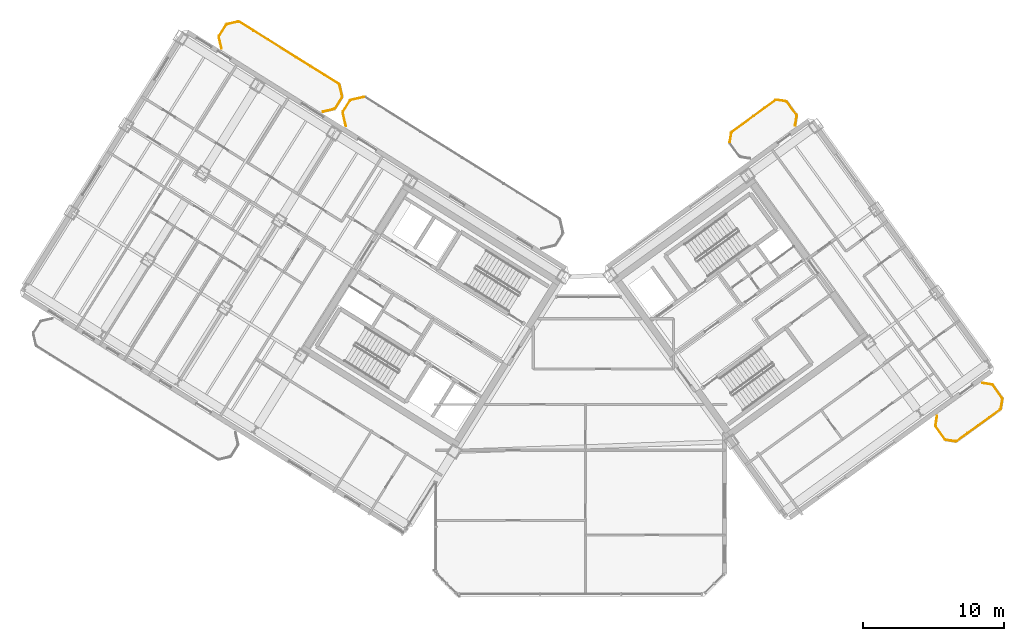
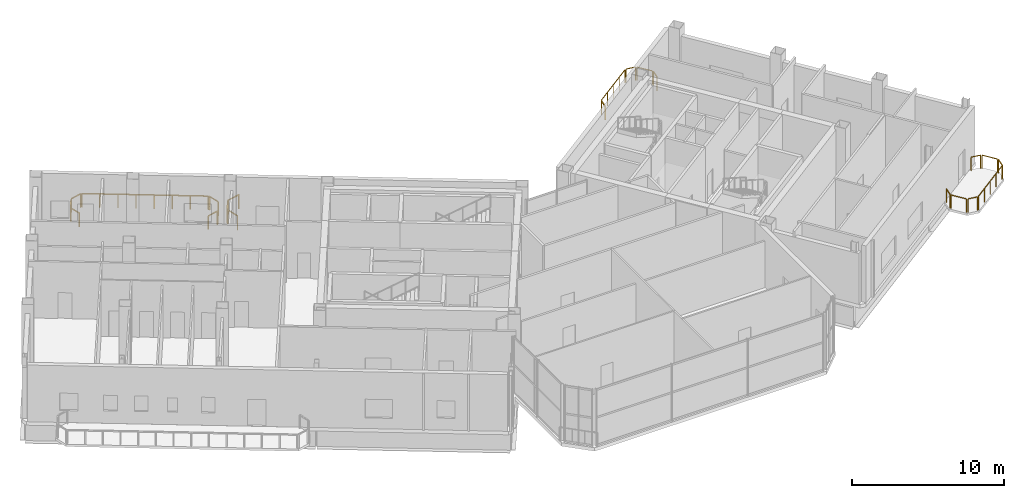
# One storey, part 26 of 26: 22 railings.
"""IFC4 building model written with IfcOpenShell, lengths in metres."""

from ifc_helpers import new_model, si_unit, direction, frame, origin, origin_2d, place, context, subcontext, project, spatial, rectangle, extrude, source, transform, mapped, material, type_object, element, save


model = new_model("IFC4")

# Units and contexts
model_context = context("Model", 3, precision=1e-05, world=origin(), true_north=direction((0.0, 1.0)))
body_context = subcontext(model_context, "Body", "Model", "MODEL_VIEW")
ifc_project = project(units=[si_unit("LENGTHUNIT", "METRE"), si_unit("AREAUNIT", "SQUARE_METRE"), si_unit("VOLUMEUNIT", "CUBIC_METRE"), si_unit("PLANEANGLEUNIT", "RADIAN"), si_unit("MASSUNIT", "GRAM", prefix="KILO")], contexts=[model_context])

# Site, building, storey
site_placement = place(None, origin())
site = spatial("IfcSite", under=ifc_project, at=site_placement, CompositionType="ELEMENT")
building_placement = place(site_placement, origin())
building = spatial("IfcBuilding", under=site, at=building_placement, Name="Tlacorven Tower", CompositionType="ELEMENT")
storey_placement = place(building_placement, frame((0.0, 0.0, 233.699951171875)))
storey = spatial("IfcBuildingStorey", under=building, at=storey_placement, Name="L59", CompositionType="ELEMENT", Elevation=233.699951171875)

# Railings
ifc_material = material(Name="Aluminium and painted steel balustrade", Category="steel")
railing_type_1 = type_object("IfcRailingType", Name="RL-BAL-1100", PredefinedType="BALUSTRADE", material=ifc_material)
shared_shape_1 = source(origin(), body_context, "Body", "SweptSolid", [
    extrude(rectangle(XDim=0.048095703125, YDim=0.048095703125, at=origin_2d()), frame((0.0, 0.0, 1.076171875), z_axis=(0.225058334816, -0.974345290916, 0.0), x_axis=(0.974345290916, 0.225058334816, 0.0)), (0.0, 0.0, 1.0), 0.80712890625),
    extrude(rectangle(XDim=0.0419921875, YDim=0.0419921875, at=origin_2d()), origin(), (0.0, 0.0, 1.0), 1.052001953125),
    extrude(rectangle(XDim=0.0419921875, YDim=0.0419921875, at=origin_2d()), frame((0.181640625, -0.786376953125, 0.0)), (0.0, 0.0, 1.0), 1.052001953125),
])
railing_1_placement = place(storey_placement, frame((24.912841796875, 38.069580078125, 0.0)))
element("IfcRailing", 1, at=railing_1_placement, inside=storey, type_object=railing_type_1, Name="BAL-L59-W-IN Guard Railing 1", PredefinedType="BALUSTRADE", context=body_context, shape_type="MappedRepresentation", body=[
    mapped(shared_shape_1, transform((0.0, 0.0, 0.0), scale=1.0)),
])
shared_shape_2 = source(origin(), body_context, "Body", "SweptSolid", [
    extrude(rectangle(XDim=0.048095703125, YDim=0.048095703125, at=origin_2d()), frame((0.0, 0.0, 1.076171875), z_axis=(-0.52987865805, -0.848073468364, 0.0), x_axis=(0.848073468364, -0.52987865805, 0.0)), (0.0, 0.0, 1.0), 0.912353515625),
    extrude(rectangle(XDim=0.0419921875, YDim=0.0419921875, at=origin_2d()), origin(), (0.0, 0.0, 1.0), 1.052001953125),
    extrude(rectangle(XDim=0.0419921875, YDim=0.0419921875, at=origin_2d()), frame((-0.4833984375, -0.773681640625, 0.0)), (0.0, 0.0, 1.0), 1.052001953125),
])
railing_2_placement = place(storey_placement, frame((25.079345703125, 37.192138671875, 0.0)))
element("IfcRailing", 2, at=railing_2_placement, inside=storey, type_object=railing_type_1, Name="BAL-L59-W-IN Guard Railing 2", PredefinedType="BALUSTRADE", context=body_context, shape_type="MappedRepresentation", body=[
    mapped(shared_shape_2, transform((0.0, 0.0, 0.0), scale=1.0)),
])
shared_shape_3 = source(origin(), body_context, "Body", "SweptSolid", [
    extrude(rectangle(XDim=0.048095703125, YDim=0.048095703125, at=origin_2d()), frame((0.0, 0.0, 1.076171875), z_axis=(-0.225058334816, 0.974345290916, 0.0), x_axis=(-0.974345290916, -0.225058334816, 0.0)), (0.0, 0.0, 1.0), 0.80712890625),
    extrude(rectangle(XDim=0.0419921875, YDim=0.0419921875, at=origin_2d()), origin(), (0.0, 0.0, 1.0), 1.052001953125),
    extrude(rectangle(XDim=0.0419921875, YDim=0.0419921875, at=origin_2d()), frame((-0.181640625, 0.786376953125, 0.0)), (0.0, 0.0, 1.0), 1.052001953125),
])
railing_3_placement = place(storey_placement, frame((16.5361328125, 40.68115234375, 0.0)))
element("IfcRailing", 3, at=railing_3_placement, inside=storey, type_object=railing_type_1, Name="BAL-L59-W-IN Guard Railing 4", PredefinedType="BALUSTRADE", context=body_context, shape_type="MappedRepresentation", body=[
    mapped(shared_shape_3, transform((0.0, 0.0, 0.0), scale=1.0)),
])
shared_shape_4 = source(origin(), body_context, "Body", "SweptSolid", [
    extrude(rectangle(XDim=0.048095703125, YDim=0.048095703125, at=origin_2d()), frame((0.0, 0.0, 1.076171875), z_axis=(0.52987865805, 0.848073468364, 0.0), x_axis=(-0.848073468364, 0.52987865805, 0.0)), (0.0, 0.0, 1.0), 0.912353515625),
    extrude(rectangle(XDim=0.0419921875, YDim=0.0419921875, at=origin_2d()), origin(), (0.0, 0.0, 1.0), 1.052001953125),
    extrude(rectangle(XDim=0.0419921875, YDim=0.0419921875, at=origin_2d()), frame((0.4833984375, 0.773681640625, 0.0)), (0.0, 0.0, 1.0), 1.052001953125),
])
railing_4_placement = place(storey_placement, frame((16.369873046875, 41.55859375, 0.0)))
element("IfcRailing", 4, at=railing_4_placement, inside=storey, type_object=railing_type_1, Name="BAL-L59-W-IN Guard Railing 5", PredefinedType="BALUSTRADE", context=body_context, shape_type="MappedRepresentation", body=[
    mapped(shared_shape_4, transform((0.0, 0.0, 0.0), scale=1.0)),
])
shared_shape_5 = source(origin(), body_context, "Body", "SweptSolid", [
    extrude(rectangle(XDim=0.048095703125, YDim=0.048095703125, at=origin_2d()), frame((0.0, 0.0, 1.076171875), z_axis=(0.974411586182, 0.224771129628, 0.0), x_axis=(-0.224771129628, 0.974411586182, 0.0)), (0.0, 0.0, 1.0), 0.80712890625),
    extrude(rectangle(XDim=0.0419921875, YDim=0.0419921875, at=origin_2d()), origin(), (0.0, 0.0, 1.0), 1.052001953125),
    extrude(rectangle(XDim=0.0419921875, YDim=0.0419921875, at=origin_2d()), frame((0.786376953125, 0.181396484375, 0.0)), (0.0, 0.0, 1.0), 1.052001953125),
])
railing_5_placement = place(storey_placement, frame((16.928466796875, 42.385986328125, 0.0)))
element("IfcRailing", 5, at=railing_5_placement, inside=storey, type_object=railing_type_1, Name="BAL-L59-W-IN Guard Railing 6", PredefinedType="BALUSTRADE", context=body_context, shape_type="MappedRepresentation", body=[
    mapped(shared_shape_5, transform((0.0, 0.0, 0.0), scale=1.0)),
])
shared_shape_6 = source(origin(), body_context, "Body", "SweptSolid", [
    extrude(rectangle(XDim=0.048095703125, YDim=0.048095703125, at=origin_2d()), frame((0.0, 0.0, 1.076171875), z_axis=(-0.987661653326, 0.156602868908, 0.0), x_axis=(-0.156602868908, -0.987661653326, 0.0)), (0.0, 0.0, 1.0), 0.665771484375),
    extrude(rectangle(XDim=0.0419921875, YDim=0.0419921875, at=origin_2d()), origin(), (0.0, 0.0, 1.0), 1.052001953125),
    extrude(rectangle(XDim=0.0419921875, YDim=0.0419921875, at=origin_2d()), frame((-0.657470703125, 0.104248046875, 0.0)), (0.0, 0.0, 1.0), 1.052001953125),
])
railing_6_placement = place(storey_placement, frame((68.59521484375, 12.7919921875, 0.0)))
element("IfcRailing", 6, at=railing_6_placement, inside=storey, type_object=railing_type_1, Name="BAL-L59-E-OUT Guard Railing 1", PredefinedType="BALUSTRADE", context=body_context, shape_type="MappedRepresentation", body=[
    mapped(shared_shape_6, transform((0.0, 0.0, 0.0), scale=1.0)),
])
shared_shape_7 = source(origin(), body_context, "Body", "SweptSolid", [
    extrude(rectangle(XDim=0.048095703125, YDim=0.048095703125, at=origin_2d()), frame((0.0, 0.0, 1.076171875), z_axis=(-0.58788449985, 0.808944877501, 0.0), x_axis=(-0.808944877501, -0.58788449985, 0.0)), (0.0, 0.0, 1.0), 1.112060546875),
    extrude(rectangle(XDim=0.0419921875, YDim=0.0419921875, at=origin_2d()), origin(), (0.0, 0.0, 1.0), 1.052001953125),
    extrude(rectangle(XDim=0.0419921875, YDim=0.0419921875, at=origin_2d()), frame((-0.65380859375, 0.899658203125, 0.0)), (0.0, 0.0, 1.0), 1.052001953125),
])
railing_7_placement = place(storey_placement, frame((67.85888671875, 12.944580078125, 0.0)))
element("IfcRailing", 7, at=railing_7_placement, inside=storey, type_object=railing_type_1, Name="BAL-L59-E-OUT Guard Railing 2", PredefinedType="BALUSTRADE", context=body_context, shape_type="MappedRepresentation", body=[
    mapped(shared_shape_7, transform((0.0, 0.0, 0.0), scale=1.0)),
])
shared_shape_8 = source(origin(), body_context, "Body", "SweptSolid", [
    extrude(rectangle(XDim=0.048095703125, YDim=0.048095703125, at=origin_2d()), frame((0.0, 0.0, 1.076171875), z_axis=(0.156602868908, 0.987661653326, 0.0), x_axis=(-0.987661653326, 0.156602868908, 0.0)), (0.0, 0.0, 1.0), 0.665771484375),
    extrude(rectangle(XDim=0.0419921875, YDim=0.0419921875, at=origin_2d()), origin(), (0.0, 0.0, 1.0), 1.052001953125),
    extrude(rectangle(XDim=0.0419921875, YDim=0.0419921875, at=origin_2d()), frame((0.104248046875, 0.657470703125, 0.0)), (0.0, 0.0, 1.0), 1.052001953125),
])
railing_8_placement = place(storey_placement, frame((67.18359375, 13.93408203125, 0.0)))
element("IfcRailing", 8, at=railing_8_placement, inside=storey, type_object=railing_type_1, Name="BAL-L59-E-OUT Guard Railing 3", PredefinedType="BALUSTRADE", context=body_context, shape_type="MappedRepresentation", body=[
    mapped(shared_shape_8, transform((0.0, 0.0, 0.0), scale=1.0)),
])
shared_shape_9 = source(origin(), body_context, "Body", "SweptSolid", [
    extrude(rectangle(XDim=0.048095703125, YDim=0.048095703125, at=origin_2d()), frame((0.0, 0.0, 1.076171875), z_axis=(0.987718317463, -0.156245081039, 0.0), x_axis=(0.156245081039, 0.987718317463, 0.0)), (0.0, 0.0, 1.0), 0.66552734375),
    extrude(rectangle(XDim=0.0419921875, YDim=0.0419921875, at=origin_2d()), origin(), (0.0, 0.0, 1.0), 1.052001953125),
    extrude(rectangle(XDim=0.0419921875, YDim=0.0419921875, at=origin_2d()), frame((0.657470703125, -0.10400390625, 0.0)), (0.0, 0.0, 1.0), 1.052001953125),
])
railing_9_placement = place(storey_placement, frame((70.513916015625, 16.935546875, 0.0)))
element("IfcRailing", 9, at=railing_9_placement, inside=storey, type_object=railing_type_1, Name="BAL-L59-E-OUT Guard Railing 4", PredefinedType="BALUSTRADE", context=body_context, shape_type="MappedRepresentation", body=[
    mapped(shared_shape_9, transform((0.0, 0.0, 0.0), scale=1.0)),
])
shared_shape_10 = source(origin(), body_context, "Body", "SweptSolid", [
    extrude(rectangle(XDim=0.048095703125, YDim=0.048095703125, at=origin_2d()), frame((0.0, 0.0, 1.076171875), z_axis=(0.58788449985, -0.808944877501, 0.0), x_axis=(0.808944877501, 0.58788449985, 0.0)), (0.0, 0.0, 1.0), 1.112060546875),
    extrude(rectangle(XDim=0.0419921875, YDim=0.0419921875, at=origin_2d()), origin(), (0.0, 0.0, 1.0), 1.052001953125),
    extrude(rectangle(XDim=0.0419921875, YDim=0.0419921875, at=origin_2d()), frame((0.65380859375, -0.899658203125, 0.0)), (0.0, 0.0, 1.0), 1.052001953125),
])
for number, where, name in (
    (10, (71.250244140625, 16.783203125, 0.0), "BAL-L59-E-OUT Guard Railing 5"),
    (11, (56.658447265625, 36.866943359375, 0.0), "BAL-L59-E-IN Guard Railing 6"),
):
    element("IfcRailing", number, at=place(storey_placement, frame(where)), inside=storey, type_object=railing_type_1, Name=name, PredefinedType="BALUSTRADE", context=body_context, shape_type="MappedRepresentation", body=[
        mapped(shared_shape_10, transform((0.0, 0.0, 0.0), scale=1.0)),
    ])
shared_shape_11 = source(origin(), body_context, "Body", "SweptSolid", [
    extrude(rectangle(XDim=0.048095703125, YDim=0.048095703125, at=origin_2d()), frame((0.0, 0.0, 1.076171875), z_axis=(-0.156188498702, -0.987727266442, 0.0), x_axis=(0.987727266442, -0.156188498702, 0.0)), (0.0, 0.0, 1.0), 0.665771484375),
    extrude(rectangle(XDim=0.0419921875, YDim=0.0419921875, at=origin_2d()), origin(), (0.0, 0.0, 1.0), 1.052001953125),
    extrude(rectangle(XDim=0.0419921875, YDim=0.0419921875, at=origin_2d()), frame((-0.10400390625, -0.65771484375, 0.0)), (0.0, 0.0, 1.0), 1.052001953125),
])
railing_10_placement = place(storey_placement, frame((71.925537109375, 15.793701171875, 0.0)))
element("IfcRailing", 12, at=railing_10_placement, inside=storey, type_object=railing_type_1, Name="BAL-L59-E-OUT Guard Railing 6", PredefinedType="BALUSTRADE", context=body_context, shape_type="MappedRepresentation", body=[
    mapped(shared_shape_11, transform((0.0, 0.0, 0.0), scale=1.0)),
])
shared_shape_12 = source(origin(), body_context, "Body", "SweptSolid", [
    extrude(rectangle(XDim=0.048095703125, YDim=0.048095703125, at=origin_2d()), frame((0.0, 0.0, 1.076171875), z_axis=(-0.809018102573, -0.587783726986, 0.0), x_axis=(0.587783726986, -0.809018102573, 0.0)), (0.0, 0.0, 1.0), 3.817138671875),
    extrude(rectangle(XDim=0.0419921875, YDim=0.0419921875, at=origin_2d()), origin(), (0.0, 0.0, 1.0), 1.052001953125),
    extrude(rectangle(XDim=0.0419921875, YDim=0.0419921875, at=origin_2d()), frame((-0.77197265625, -0.56103515625, 0.0)), (0.0, 0.0, 1.0), 1.052001953125),
    extrude(rectangle(XDim=0.0419921875, YDim=0.0419921875, at=origin_2d()), frame((-1.5439453125, -1.121826171875, 0.0)), (0.0, 0.0, 1.0), 1.052001953125),
    extrude(rectangle(XDim=0.0419921875, YDim=0.0419921875, at=origin_2d()), frame((-2.316162109375, -1.6826171875, 0.0)), (0.0, 0.0, 1.0), 1.052001953125),
    extrude(rectangle(XDim=0.0419921875, YDim=0.0419921875, at=origin_2d()), frame((-3.088134765625, -2.24365234375, 0.0)), (0.0, 0.0, 1.0), 1.052001953125),
])
railing_11_placement = place(storey_placement, frame((71.773193359375, 15.057373046875, 0.0)))
element("IfcRailing", 13, at=railing_11_placement, inside=storey, type_object=railing_type_1, Name="BAL-L59-E-OUT Guard Railing 7", PredefinedType="BALUSTRADE", context=body_context, shape_type="MappedRepresentation", body=[
    mapped(shared_shape_12, transform((0.0, 0.0, 0.0), scale=1.0)),
])
shared_shape_13 = source(origin(), body_context, "Body", "SweptSolid", [
    extrude(rectangle(XDim=0.048095703125, YDim=0.048095703125, at=origin_2d()), frame((0.0, 0.0, 1.076171875), z_axis=(0.156546163506, 0.987670642822, 0.0), x_axis=(-0.987670642822, 0.156546163506, 0.0)), (0.0, 0.0, 1.0), 0.666015625),
    extrude(rectangle(XDim=0.0419921875, YDim=0.0419921875, at=origin_2d()), origin(), (0.0, 0.0, 1.0), 1.052001953125),
    extrude(rectangle(XDim=0.0419921875, YDim=0.0419921875, at=origin_2d()), frame((0.104248046875, 0.65771484375, 0.0)), (0.0, 0.0, 1.0), 1.052001953125),
])
railing_12_placement = place(storey_placement, frame((52.591796875, 34.017822265625, 0.0)))
element("IfcRailing", 14, at=railing_12_placement, inside=storey, type_object=railing_type_1, Name="BAL-L59-E-IN Guard Railing 3", PredefinedType="BALUSTRADE", context=body_context, shape_type="MappedRepresentation", body=[
    mapped(shared_shape_13, transform((0.0, 0.0, 0.0), scale=1.0)),
])
shared_shape_14 = source(origin(), body_context, "Body", "SweptSolid", [
    extrude(rectangle(XDim=0.048095703125, YDim=0.048095703125, at=origin_2d()), frame((0.0, 0.0, 1.076171875), z_axis=(0.809040198054, 0.587753313843, 0.0), x_axis=(-0.587753313843, 0.809040198054, 0.0)), (0.0, 0.0, 1.0), 3.8173828125),
    extrude(rectangle(XDim=0.0419921875, YDim=0.0419921875, at=origin_2d()), origin(), (0.0, 0.0, 1.0), 1.052001953125),
    extrude(rectangle(XDim=0.0419921875, YDim=0.0419921875, at=origin_2d()), frame((0.77197265625, 0.56103515625, 0.0)), (0.0, 0.0, 1.0), 1.052001953125),
    extrude(rectangle(XDim=0.0419921875, YDim=0.0419921875, at=origin_2d()), frame((1.544189453125, 1.121826171875, 0.0)), (0.0, 0.0, 1.0), 1.052001953125),
    extrude(rectangle(XDim=0.0419921875, YDim=0.0419921875, at=origin_2d()), frame((2.31640625, 1.6826171875, 0.0)), (0.0, 0.0, 1.0), 1.052001953125),
    extrude(rectangle(XDim=0.0419921875, YDim=0.0419921875, at=origin_2d()), frame((3.08837890625, 2.24365234375, 0.0)), (0.0, 0.0, 1.0), 1.052001953125),
])
railing_13_placement = place(storey_placement, frame((52.744140625, 34.754150390625, 0.0)))
element("IfcRailing", 15, at=railing_13_placement, inside=storey, type_object=railing_type_1, Name="BAL-L59-E-IN Guard Railing 4", PredefinedType="BALUSTRADE", context=body_context, shape_type="MappedRepresentation", body=[
    mapped(shared_shape_14, transform((0.0, 0.0, 0.0), scale=1.0)),
])
shared_shape_15 = source(origin(), body_context, "Body", "SweptSolid", [
    extrude(rectangle(XDim=0.048095703125, YDim=0.048095703125, at=origin_2d()), frame((0.0, 0.0, 1.076171875), z_axis=(0.987670642822, -0.156546163506, 0.0), x_axis=(0.156546163506, 0.987670642822, 0.0)), (0.0, 0.0, 1.0), 0.666015625),
    extrude(rectangle(XDim=0.0419921875, YDim=0.0419921875, at=origin_2d()), origin(), (0.0, 0.0, 1.0), 1.052001953125),
    extrude(rectangle(XDim=0.0419921875, YDim=0.0419921875, at=origin_2d()), frame((0.65771484375, -0.104248046875, 0.0)), (0.0, 0.0, 1.0), 1.052001953125),
])
railing_14_placement = place(storey_placement, frame((55.922119140625, 37.01953125, 0.0)))
element("IfcRailing", 16, at=railing_14_placement, inside=storey, type_object=railing_type_1, Name="BAL-L59-E-IN Guard Railing 5", PredefinedType="BALUSTRADE", context=body_context, shape_type="MappedRepresentation", body=[
    mapped(shared_shape_15, transform((0.0, 0.0, 0.0), scale=1.0)),
])
shared_shape_16 = source(origin(), body_context, "Body", "SweptSolid", [
    extrude(rectangle(XDim=0.048095703125, YDim=0.048095703125, at=origin_2d()), frame((0.0, 0.0, 1.076171875), z_axis=(-0.156245081039, -0.987718317463, 0.0), x_axis=(0.987718317463, -0.156245081039, 0.0)), (0.0, 0.0, 1.0), 0.66552734375),
    extrude(rectangle(XDim=0.0419921875, YDim=0.0419921875, at=origin_2d()), origin(), (0.0, 0.0, 1.0), 1.052001953125),
    extrude(rectangle(XDim=0.0419921875, YDim=0.0419921875, at=origin_2d()), frame((-0.10400390625, -0.657470703125, 0.0)), (0.0, 0.0, 1.0), 1.052001953125),
])
railing_15_placement = place(storey_placement, frame((57.333740234375, 35.87744140625, 0.0)))
element("IfcRailing", 17, at=railing_15_placement, inside=storey, type_object=railing_type_1, Name="BAL-L59-E-IN Guard Railing 7", PredefinedType="BALUSTRADE", context=body_context, shape_type="MappedRepresentation", body=[
    mapped(shared_shape_16, transform((0.0, 0.0, 0.0), scale=1.0)),
])
railing_type_2 = type_object("IfcRailingType", Name="RL-GRD-1150", PredefinedType="GUARDRAIL", material=ifc_material)
shared_shape_17 = source(origin(), body_context, "Body", "SweptSolid", [
    extrude(rectangle(XDim=0.048095703125, YDim=0.048095703125, at=origin_2d()), frame((0.0, 0.0, 1.1259765625), z_axis=(0.974373842523, 0.224934690535, 0.0), x_axis=(-0.224934690535, 0.974373842523, 0.0)), (0.0, 0.0, 1.0), 0.94873046875),
    extrude(rectangle(XDim=0.0419921875, YDim=0.0419921875, at=origin_2d()), origin(), (0.0, 0.0, 1.0), 1.101806640625),
    extrude(rectangle(XDim=0.0419921875, YDim=0.0419921875, at=origin_2d()), frame((0.92431640625, 0.21337890625, 0.0)), (0.0, 0.0, 1.0), 1.101806640625),
])
railing_16_placement = place(storey_placement, frame((25.71630859375, 37.012451171875, 0.0)))
element("IfcRailing", 18, at=railing_16_placement, inside=storey, type_object=railing_type_2, Name="TER-L59-SGW Guard Railing 6", PredefinedType="GUARDRAIL", context=body_context, shape_type="MappedRepresentation", body=[
    mapped(shared_shape_17, transform((0.0, 0.0, 0.0), scale=1.0)),
])
shared_shape_18 = source(origin(), body_context, "Body", "SweptSolid", [
    extrude(rectangle(XDim=0.048095703125, YDim=0.048095703125, at=origin_2d()), frame((0.0, 0.0, 1.076171875), z_axis=(-0.974426863277, -0.22470489119, 0.0), x_axis=(0.22470489119, -0.974426863277, 0.0)), (0.0, 0.0, 1.0), 0.807373046875),
    extrude(rectangle(XDim=0.0419921875, YDim=0.0419921875, at=origin_2d()), origin(), (0.0, 0.0, 1.0), 1.052001953125),
    extrude(rectangle(XDim=0.0419921875, YDim=0.0419921875, at=origin_2d()), frame((-0.78662109375, -0.181396484375, 0.0)), (0.0, 0.0, 1.0), 1.052001953125),
])
railing_17_placement = place(storey_placement, frame((24.520751953125, 36.36474609375, 0.0)))
element("IfcRailing", 19, at=railing_17_placement, inside=storey, type_object=railing_type_1, Name="BAL-L59-W-IN Guard Railing 3", PredefinedType="BALUSTRADE", context=body_context, shape_type="MappedRepresentation", body=[
    mapped(shared_shape_18, transform((0.0, 0.0, 0.0), scale=1.0)),
])
shared_shape_19 = source(origin(), body_context, "Body", "SweptSolid", [
    extrude(rectangle(XDim=0.048095703125, YDim=0.048095703125, at=origin_2d()), frame((0.0, 0.0, 1.076171875), z_axis=(0.848049421171, -0.529917143761, 0.0), x_axis=(0.529917143761, 0.848049421171, 0.0)), (0.0, 0.0, 1.0), 8.3173828125),
    extrude(rectangle(XDim=0.0419921875, YDim=0.0419921875, at=origin_2d()), origin(), (0.0, 0.0, 1.0), 1.052001953125),
    extrude(rectangle(XDim=0.0419921875, YDim=0.0419921875, at=origin_2d()), frame((1.007568359375, -0.629638671875, 0.0)), (0.0, 0.0, 1.0), 1.052001953125),
    extrude(rectangle(XDim=0.0419921875, YDim=0.0419921875, at=origin_2d()), frame((2.015380859375, -1.25927734375, 0.0)), (0.0, 0.0, 1.0), 1.052001953125),
    extrude(rectangle(XDim=0.0419921875, YDim=0.0419921875, at=origin_2d()), frame((3.02294921875, -1.888916015625, 0.0)), (0.0, 0.0, 1.0), 1.052001953125),
    extrude(rectangle(XDim=0.0419921875, YDim=0.0419921875, at=origin_2d()), frame((4.030517578125, -2.5185546875, 0.0)), (0.0, 0.0, 1.0), 1.052001953125),
    extrude(rectangle(XDim=0.0419921875, YDim=0.0419921875, at=origin_2d()), frame((5.0380859375, -3.148193359375, 0.0)), (0.0, 0.0, 1.0), 1.052001953125),
    extrude(rectangle(XDim=0.0419921875, YDim=0.0419921875, at=origin_2d()), frame((6.0458984375, -3.77783203125, 0.0)), (0.0, 0.0, 1.0), 1.052001953125),
    extrude(rectangle(XDim=0.0419921875, YDim=0.0419921875, at=origin_2d()), frame((7.053466796875, -4.407470703125, 0.0)), (0.0, 0.0, 1.0), 1.052001953125),
])
railing_18_placement = place(storey_placement, frame((17.805908203125, 42.55224609375, 0.0)))
element("IfcRailing", 20, at=railing_18_placement, inside=storey, type_object=railing_type_1, Name="BAL-L59-W-IN Guard Railing 7", PredefinedType="BALUSTRADE", context=body_context, shape_type="MappedRepresentation", body=[
    mapped(shared_shape_19, transform((0.0, 0.0, 0.0), scale=1.0)),
])
shared_shape_20 = source(origin(), body_context, "Body", "SweptSolid", [
    extrude(rectangle(XDim=0.048095703125, YDim=0.048095703125, at=origin_2d()), frame((0.0, 0.0, 1.1259765625), z_axis=(-0.224690328384, 0.974430221376, 0.0), x_axis=(-0.974430221376, -0.224690328384, 0.0)), (0.0, 0.0, 1.0), 0.948486328125),
    extrude(rectangle(XDim=0.0419921875, YDim=0.0419921875, at=origin_2d()), origin(), (0.0, 0.0, 1.0), 1.101806640625),
    extrude(rectangle(XDim=0.0419921875, YDim=0.0419921875, at=origin_2d()), frame((-0.213134765625, 0.92431640625, 0.0)), (0.0, 0.0, 1.0), 1.101806640625),
])
railing_19_placement = place(storey_placement, frame((25.355712890625, 35.169921875, 0.0)))
element("IfcRailing", 21, at=railing_19_placement, inside=storey, type_object=railing_type_2, Name="TER-L59-SGW Guard Railing 4", PredefinedType="GUARDRAIL", context=body_context, shape_type="MappedRepresentation", body=[
    mapped(shared_shape_20, transform((0.0, 0.0, 0.0), scale=1.0)),
])
shared_shape_21 = source(origin(), body_context, "Body", "SweptSolid", [
    extrude(rectangle(XDim=0.048095703125, YDim=0.048095703125, at=origin_2d()), frame((0.0, 0.0, 1.1259765625), z_axis=(0.52987865805, 0.848073468364, 0.0), x_axis=(-0.848073468364, 0.52987865805, 0.0)), (0.0, 0.0, 1.0), 0.912353515625),
    extrude(rectangle(XDim=0.0419921875, YDim=0.0419921875, at=origin_2d()), origin(), (0.0, 0.0, 1.0), 1.101806640625),
    extrude(rectangle(XDim=0.0419921875, YDim=0.0419921875, at=origin_2d()), frame((0.4833984375, 0.773681640625, 0.0)), (0.0, 0.0, 1.0), 1.101806640625),
])
railing_20_placement = place(storey_placement, frame((25.15771484375, 36.185302734375, 0.0)))
element("IfcRailing", 22, at=railing_20_placement, inside=storey, type_object=railing_type_2, Name="TER-L59-SGW Guard Railing 5", PredefinedType="GUARDRAIL", context=body_context, shape_type="MappedRepresentation", body=[
    mapped(shared_shape_21, transform((0.0, 0.0, 0.0), scale=1.0)),
])

save(model, "model.ifc")
